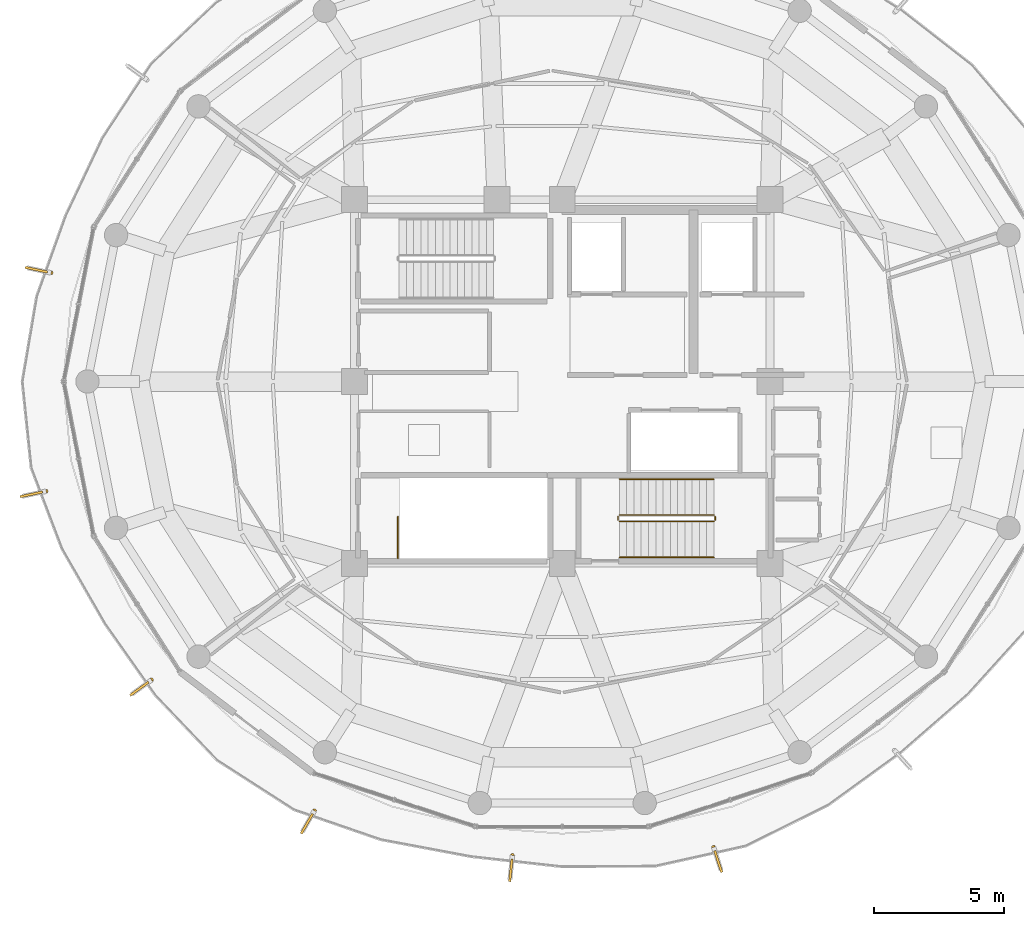
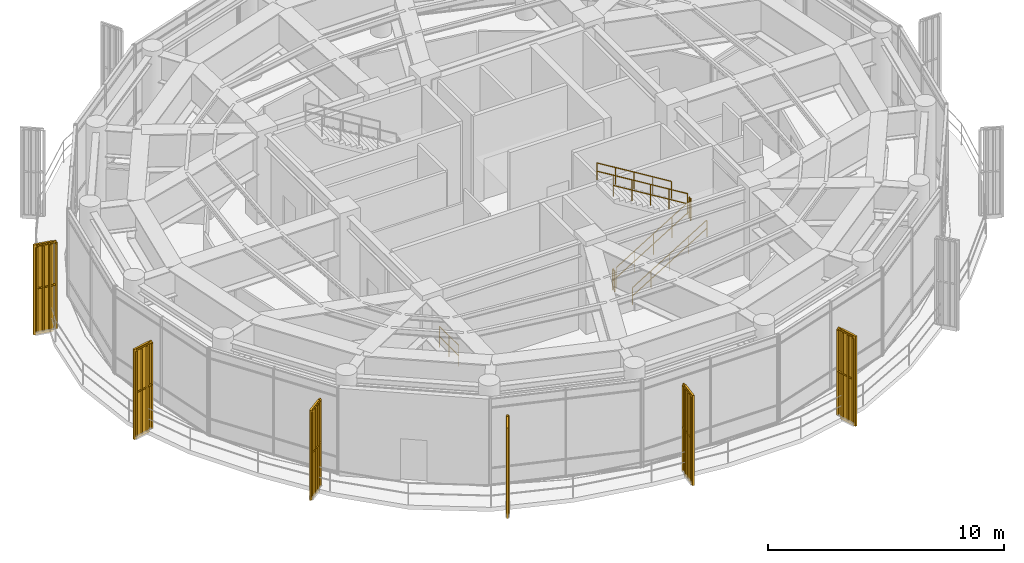
# One storey, part 21 of 23: 13 railings, 6 shading devices.
"""IFC4 building model written with IfcOpenShell, lengths in metres."""

from ifc_helpers import new_model, si_unit, direction, frame, origin, origin_2d, place, context, subcontext, project, spatial, polyline, rectangle, outline, extrude, source, transform, mapped, material, type_object, element, save


model = new_model("IFC4")

# Units and contexts
model_context = context("Model", 3, precision=1e-05, world=origin(), true_north=direction((0.0, 1.0)))
body_context = subcontext(model_context, "Body", "Model", "MODEL_VIEW")
ifc_project = project(units=[si_unit("LENGTHUNIT", "METRE"), si_unit("AREAUNIT", "SQUARE_METRE"), si_unit("VOLUMEUNIT", "CUBIC_METRE"), si_unit("PLANEANGLEUNIT", "RADIAN"), si_unit("MASSUNIT", "GRAM", prefix="KILO")], contexts=[model_context])

# Site, building, storey
site_placement = place(None, origin())
site = spatial("IfcSite", under=ifc_project, at=site_placement, CompositionType="ELEMENT")
building_placement = place(site_placement, origin())
building = spatial("IfcBuilding", under=site, at=building_placement, Name="Kelanora Arch Commons", CompositionType="ELEMENT")
storey_placement = place(building_placement, frame((0.0, 0.0, 293.699951171875)))
storey = spatial("IfcBuildingStorey", under=building, at=storey_placement, Name="L75", CompositionType="ELEMENT", Elevation=293.699951171875)

# Railings
ifc_material_1 = material(Name="Anodised bronze vertical shading fin rib assembly")
railing_type_1 = type_object("IfcRailingType", Name="RAIL-FIN-BRZ", PredefinedType="BALUSTRADE", material=ifc_material_1)
railing_1_placement = place(storey_placement, frame((54.321533203125, 62.182861328125, -0.02001953125)))
element("IfcRailing", 1, at=railing_1_placement, inside=storey, type_object=railing_type_1, Name="Sweeping Bronze Vertical Fin Blade L75-07", PredefinedType="BALUSTRADE", context=body_context, shape_type="SweptSolid", body=[
    extrude(outline(polyline([(0.06982421875, 0.0), (0.034912109375, 0.060546875), (-0.034912109375, 0.060546875), (-0.06982421875, 0.0), (-0.034912109375, -0.060546875), (0.034912109375, -0.060546875), (0.06982421875, 0.0)])), frame((0.0, 0.0, 4.47021484375), z_axis=(-0.978174359358, 0.207785761531, 0.0), x_axis=(-0.207785761531, -0.978174359358, 0.0)), (0.0, 0.0, 1.0), 0.880126953125),
    extrude(outline(polyline([(0.06982421875, 0.0), (0.034912109375, 0.060546875), (-0.034912109375, 0.060546875), (-0.06982421875, 0.0), (-0.034912109375, -0.060546875), (0.034912109375, -0.060546875), (0.06982421875, 0.0)])), frame((0.0, 0.0, 2.27001953125), z_axis=(-0.978174359358, 0.207785761531, 0.0), x_axis=(-0.207785761531, -0.978174359358, 0.0)), (0.0, 0.0, 1.0), 0.880126953125),
    extrude(outline(polyline([(0.080078125, 0.0), (0.0400390625, 0.0693359375), (-0.0400390625, 0.0693359375), (-0.080078125, 0.0), (-0.0400390625, -0.0693359375), (0.0400390625, -0.0693359375), (0.080078125, 0.0)])), origin(), (0.0, 0.0, 1.0), 4.400146484375),
    extrude(outline(polyline([(0.080078125, 0.0), (0.0400390625, 0.0693359375), (-0.0400390625, 0.0693359375), (-0.080078125, 0.0), (-0.0400390625, -0.0693359375), (0.0400390625, -0.0693359375), (0.080078125, 0.0)])), frame((-0.286865234375, 0.06103515625, 0.0)), (0.0, 0.0, 1.0), 4.400146484375),
    extrude(outline(polyline([(0.080078125, 0.0), (0.0400390625, 0.0693359375), (-0.0400390625, 0.0693359375), (-0.080078125, 0.0), (-0.0400390625, -0.0693359375), (0.0400390625, -0.0693359375), (0.080078125, 0.0)])), frame((-0.573974609375, 0.121826171875, 0.0)), (0.0, 0.0, 1.0), 4.400146484375),
    extrude(outline(polyline([(0.080078125, 0.0), (0.0400390625, 0.0693359375), (-0.0400390625, 0.0693359375), (-0.080078125, 0.0), (-0.0400390625, -0.0693359375), (0.0400390625, -0.0693359375), (0.080078125, 0.0)])), frame((-0.86083984375, 0.182861328125, 0.0)), (0.0, 0.0, 1.0), 4.400146484375),
])
railing_2_placement = place(storey_placement, frame((54.13037109375, 53.776611328125, -0.02001953125)))
element("IfcRailing", 2, at=railing_2_placement, inside=storey, type_object=railing_type_1, Name="Sweeping Bronze Vertical Fin Blade L75-08", PredefinedType="BALUSTRADE", context=body_context, shape_type="SweptSolid", body=[
    extrude(outline(polyline([(0.06982421875, 0.0), (0.034912109375, 0.060546875), (-0.034912109375, 0.060546875), (-0.06982421875, 0.0), (-0.034912109375, -0.060546875), (0.034912109375, -0.060546875), (0.06982421875, 0.0)])), frame((0.0, 0.0, 4.47021484375), z_axis=(-0.978117941282, -0.208051178662, 0.0), x_axis=(0.208051178662, -0.978117941282, 0.0)), (0.0, 0.0, 1.0), 0.880126953125),
    extrude(outline(polyline([(0.06982421875, 0.0), (0.034912109375, 0.060546875), (-0.034912109375, 0.060546875), (-0.06982421875, 0.0), (-0.034912109375, -0.060546875), (0.034912109375, -0.060546875), (0.06982421875, 0.0)])), frame((0.0, 0.0, 2.27001953125), z_axis=(-0.978117941282, -0.208051178662, 0.0), x_axis=(0.208051178662, -0.978117941282, 0.0)), (0.0, 0.0, 1.0), 0.880126953125),
    extrude(outline(polyline([(0.080078125, 0.0), (0.0400390625, 0.0693359375), (-0.0400390625, 0.0693359375), (-0.080078125, 0.0), (-0.0400390625, -0.0693359375), (0.0400390625, -0.0693359375), (0.080078125, 0.0)])), origin(), (0.0, 0.0, 1.0), 4.400146484375),
    extrude(outline(polyline([(0.080078125, 0.0), (0.0400390625, 0.0693359375), (-0.0400390625, 0.0693359375), (-0.080078125, 0.0), (-0.0400390625, -0.0693359375), (0.0400390625, -0.0693359375), (0.080078125, 0.0)])), frame((-0.286865234375, -0.06103515625, 0.0)), (0.0, 0.0, 1.0), 4.400146484375),
    extrude(outline(polyline([(0.080078125, 0.0), (0.0400390625, 0.0693359375), (-0.0400390625, 0.0693359375), (-0.080078125, 0.0), (-0.0400390625, -0.0693359375), (0.0400390625, -0.0693359375), (0.080078125, 0.0)])), frame((-0.573974609375, -0.1220703125, 0.0)), (0.0, 0.0, 1.0), 4.400146484375),
    extrude(outline(polyline([(0.080078125, 0.0), (0.0400390625, 0.0693359375), (-0.0400390625, 0.0693359375), (-0.080078125, 0.0), (-0.0400390625, -0.0693359375), (0.0400390625, -0.0693359375), (0.080078125, 0.0)])), frame((-0.86083984375, -0.18310546875, 0.0)), (0.0, 0.0, 1.0), 4.400146484375),
])
railing_3_placement = place(storey_placement, frame((58.186767578125, 46.510986328125, -0.02001953125)))
element("IfcRailing", 3, at=railing_3_placement, inside=storey, type_object=railing_type_1, Name="Sweeping Bronze Vertical Fin Blade L75-09", PredefinedType="BALUSTRADE", context=body_context, shape_type="SweptSolid", body=[
    extrude(outline(polyline([(0.06982421875, 0.0), (0.034912109375, 0.060546875), (-0.034912109375, 0.060546875), (-0.06982421875, 0.0), (-0.034912109375, -0.060546875), (0.034912109375, -0.060546875), (0.06982421875, 0.0)])), frame((0.0, 0.0, 4.47021484375), z_axis=(-0.808963959884, -0.587858241082, 0.0), x_axis=(0.587858241082, -0.808963959884, 0.0)), (0.0, 0.0, 1.0), 0.880126953125),
    extrude(outline(polyline([(0.06982421875, 0.0), (0.034912109375, 0.060546875), (-0.034912109375, 0.060546875), (-0.06982421875, 0.0), (-0.034912109375, -0.060546875), (0.034912109375, -0.060546875), (0.06982421875, 0.0)])), frame((0.0, 0.0, 2.27001953125), z_axis=(-0.808963959884, -0.587858241082, 0.0), x_axis=(0.587858241082, -0.808963959884, 0.0)), (0.0, 0.0, 1.0), 0.880126953125),
    extrude(outline(polyline([(0.080078125, 0.0), (0.0400390625, 0.0693359375), (-0.0400390625, 0.0693359375), (-0.080078125, 0.0), (-0.0400390625, -0.0693359375), (0.0400390625, -0.0693359375), (0.080078125, 0.0)])), origin(), (0.0, 0.0, 1.0), 4.400146484375),
    extrude(outline(polyline([(0.080078125, 0.0), (0.0400390625, 0.0693359375), (-0.0400390625, 0.0693359375), (-0.080078125, 0.0), (-0.0400390625, -0.0693359375), (0.0400390625, -0.0693359375), (0.080078125, 0.0)])), frame((-0.2373046875, -0.17236328125, 0.0)), (0.0, 0.0, 1.0), 4.400146484375),
    extrude(outline(polyline([(0.080078125, 0.0), (0.0400390625, 0.0693359375), (-0.0400390625, 0.0693359375), (-0.080078125, 0.0), (-0.0400390625, -0.0693359375), (0.0400390625, -0.0693359375), (0.080078125, 0.0)])), frame((-0.474609375, -0.344970703125, 0.0)), (0.0, 0.0, 1.0), 4.400146484375),
    extrude(outline(polyline([(0.080078125, 0.0), (0.0400390625, 0.0693359375), (-0.0400390625, 0.0693359375), (-0.080078125, 0.0), (-0.0400390625, -0.0693359375), (0.0400390625, -0.0693359375), (0.080078125, 0.0)])), frame((-0.7119140625, -0.517333984375, 0.0)), (0.0, 0.0, 1.0), 4.400146484375),
])
railing_4_placement = place(storey_placement, frame((64.459716796875, 41.475830078125, -0.02001953125)))
element("IfcRailing", 4, at=railing_4_placement, inside=storey, type_object=railing_type_1, Name="Sweeping Bronze Vertical Fin Blade L75-10", PredefinedType="BALUSTRADE", context=body_context, shape_type="SweptSolid", body=[
    extrude(outline(polyline([(0.06982421875, 0.0), (0.034912109375, 0.060546875), (-0.034912109375, 0.060546875), (-0.06982421875, 0.0), (-0.034912109375, -0.060546875), (0.034912109375, -0.060546875), (0.06982421875, 0.0)])), frame((0.0, 0.0, 4.47021484375), z_axis=(-0.500018690203, -0.866014612722, 0.0), x_axis=(0.866014612722, -0.500018690203, 0.0)), (0.0, 0.0, 1.0), 0.8798828125),
    extrude(outline(polyline([(0.06982421875, 0.0), (0.034912109375, 0.060546875), (-0.034912109375, 0.060546875), (-0.06982421875, 0.0), (-0.034912109375, -0.060546875), (0.034912109375, -0.060546875), (0.06982421875, 0.0)])), frame((0.0, 0.0, 2.27001953125), z_axis=(-0.500018690203, -0.866014612722, 0.0), x_axis=(0.866014612722, -0.500018690203, 0.0)), (0.0, 0.0, 1.0), 0.8798828125),
    extrude(outline(polyline([(0.080078125, 0.0), (0.0400390625, 0.0693359375), (-0.0400390625, 0.0693359375), (-0.080078125, 0.0), (-0.0400390625, -0.0693359375), (0.0400390625, -0.0693359375), (0.080078125, 0.0)])), origin(), (0.0, 0.0, 1.0), 4.400146484375),
    extrude(outline(polyline([(0.080078125, 0.0), (0.0400390625, 0.0693359375), (-0.0400390625, 0.0693359375), (-0.080078125, 0.0), (-0.0400390625, -0.0693359375), (0.0400390625, -0.0693359375), (0.080078125, 0.0)])), frame((-0.146728515625, -0.25390625, 0.0)), (0.0, 0.0, 1.0), 4.400146484375),
    extrude(outline(polyline([(0.080078125, 0.0), (0.0400390625, 0.0693359375), (-0.0400390625, 0.0693359375), (-0.080078125, 0.0), (-0.0400390625, -0.0693359375), (0.0400390625, -0.0693359375), (0.080078125, 0.0)])), frame((-0.293212890625, -0.508056640625, 0.0)), (0.0, 0.0, 1.0), 4.400146484375),
    extrude(outline(polyline([(0.080078125, 0.0), (0.0400390625, 0.0693359375), (-0.0400390625, 0.0693359375), (-0.080078125, 0.0), (-0.0400390625, -0.0693359375), (0.0400390625, -0.0693359375), (0.080078125, 0.0)])), frame((-0.43994140625, -0.761962890625, 0.0)), (0.0, 0.0, 1.0), 4.400146484375),
])
railing_5_placement = place(storey_placement, frame((72.082763671875, 39.759521484375, -0.02001953125)))
element("IfcRailing", 5, at=railing_5_placement, inside=storey, type_object=railing_type_1, Name="Sweeping Bronze Vertical Fin Blade L75-11", PredefinedType="BALUSTRADE", context=body_context, shape_type="SweptSolid", body=[
    extrude(outline(polyline([(0.06982421875, 0.0), (0.034912109375, 0.060546875), (-0.034912109375, 0.060546875), (-0.06982421875, 0.0), (-0.034912109375, -0.060546875), (0.034912109375, -0.060546875), (0.06982421875, 0.0)])), frame((0.0, 0.0, 4.47021484375), z_axis=(-0.104583700208, -0.994516088181, 0.0), x_axis=(0.994516088181, -0.104583700208, 0.0)), (0.0, 0.0, 1.0), 0.880126953125),
    extrude(outline(polyline([(0.06982421875, 0.0), (0.034912109375, 0.060546875), (-0.034912109375, 0.060546875), (-0.06982421875, 0.0), (-0.034912109375, -0.060546875), (0.034912109375, -0.060546875), (0.06982421875, 0.0)])), frame((0.0, 0.0, 2.27001953125), z_axis=(-0.104583700208, -0.994516088181, 0.0), x_axis=(0.994516088181, -0.104583700208, 0.0)), (0.0, 0.0, 1.0), 0.880126953125),
    extrude(outline(polyline([(0.080078125, 0.0), (0.0400390625, 0.0693359375), (-0.0400390625, 0.0693359375), (-0.080078125, 0.0), (-0.0400390625, -0.0693359375), (0.0400390625, -0.0693359375), (0.080078125, 0.0)])), origin(), (0.0, 0.0, 1.0), 4.400146484375),
    extrude(outline(polyline([(0.080078125, 0.0), (0.0400390625, 0.0693359375), (-0.0400390625, 0.0693359375), (-0.080078125, 0.0), (-0.0400390625, -0.0693359375), (0.0400390625, -0.0693359375), (0.080078125, 0.0)])), frame((-0.03076171875, -0.291748046875, 0.0)), (0.0, 0.0, 1.0), 4.400146484375),
    extrude(outline(polyline([(0.080078125, 0.0), (0.0400390625, 0.0693359375), (-0.0400390625, 0.0693359375), (-0.080078125, 0.0), (-0.0400390625, -0.0693359375), (0.0400390625, -0.0693359375), (0.080078125, 0.0)])), frame((-0.061279296875, -0.58349609375, 0.0)), (0.0, 0.0, 1.0), 4.400146484375),
    extrude(outline(polyline([(0.080078125, 0.0), (0.0400390625, 0.0693359375), (-0.0400390625, 0.0693359375), (-0.080078125, 0.0), (-0.0400390625, -0.0693359375), (0.0400390625, -0.0693359375), (0.080078125, 0.0)])), frame((-0.092041015625, -0.875244140625, 0.0)), (0.0, 0.0, 1.0), 4.400146484375),
])
railing_6_placement = place(storey_placement, frame((79.825439453125, 40.071044921875, -0.02001953125)))
element("IfcRailing", 6, at=railing_6_placement, inside=storey, type_object=railing_type_1, Name="Sweeping Bronze Vertical Fin Blade L75-12", PredefinedType="BALUSTRADE", context=body_context, shape_type="SweptSolid", body=[
    extrude(outline(polyline([(0.06982421875, 0.0), (0.034912109375, 0.060546875), (-0.034912109375, 0.060546875), (-0.06982421875, 0.0), (-0.034912109375, -0.060546875), (0.034912109375, -0.060546875), (0.06982421875, 0.0)])), frame((0.0, 0.0, 4.47021484375), z_axis=(0.309060979314, -0.951042223598, 0.0), x_axis=(0.951042223598, 0.309060979314, 0.0)), (0.0, 0.0, 1.0), 0.8798828125),
    extrude(outline(polyline([(0.06982421875, 0.0), (0.034912109375, 0.060546875), (-0.034912109375, 0.060546875), (-0.06982421875, 0.0), (-0.034912109375, -0.060546875), (0.034912109375, -0.060546875), (0.06982421875, 0.0)])), frame((0.0, 0.0, 2.27001953125), z_axis=(0.309060979314, -0.951042223598, 0.0), x_axis=(0.951042223598, 0.309060979314, 0.0)), (0.0, 0.0, 1.0), 0.8798828125),
    extrude(outline(polyline([(0.080078125, 0.0), (0.0400390625, 0.0693359375), (-0.0400390625, 0.0693359375), (-0.080078125, 0.0), (-0.0400390625, -0.0693359375), (0.0400390625, -0.0693359375), (0.080078125, 0.0)])), origin(), (0.0, 0.0, 1.0), 4.400146484375),
    extrude(outline(polyline([(0.080078125, 0.0), (0.0400390625, 0.0693359375), (-0.0400390625, 0.0693359375), (-0.080078125, 0.0), (-0.0400390625, -0.0693359375), (0.0400390625, -0.0693359375), (0.080078125, 0.0)])), frame((0.090576171875, -0.279052734375, 0.0)), (0.0, 0.0, 1.0), 4.400146484375),
    extrude(outline(polyline([(0.080078125, 0.0), (0.0400390625, 0.0693359375), (-0.0400390625, 0.0693359375), (-0.080078125, 0.0), (-0.0400390625, -0.0693359375), (0.0400390625, -0.0693359375), (0.080078125, 0.0)])), frame((0.181396484375, -0.557861328125, 0.0)), (0.0, 0.0, 1.0), 4.400146484375),
    extrude(outline(polyline([(0.080078125, 0.0), (0.0400390625, 0.0693359375), (-0.0400390625, 0.0693359375), (-0.080078125, 0.0), (-0.0400390625, -0.0693359375), (0.0400390625, -0.0693359375), (0.080078125, 0.0)])), frame((0.27197265625, -0.8369140625, 0.0)), (0.0, 0.0, 1.0), 4.400146484375),
])
ifc_material_2 = material(Name="Painted steel stair well guard", Category="steel")
railing_type_2 = type_object("IfcRailingType", Name="RAIL-STAIR-GRD", PredefinedType="GUARDRAIL", material=ifc_material_2)
railing_7_placement = place(storey_placement, frame((76.199951171875, 52.610107421875, 0.17138671875)))
element("IfcRailing", 7, at=railing_7_placement, inside=storey, type_object=railing_type_2, Name="L75 ST-T2 stair guard 1", PredefinedType="GUARDRAIL", context=body_context, shape_type="SweptSolid", body=[
    extrude(outline(polyline([(0.02392578125, 0.0), (0.011962890625, 0.020751953125), (-0.011962890625, 0.020751953125), (-0.02392578125, 0.0), (-0.011962890625, -0.020751953125), (0.011962890625, -0.020751953125), (0.02392578125, 0.0)])), frame((0.0, 0.0, 1.076171875), z_axis=(0.852840387347, 0.0, 0.522171689878), x_axis=(0.0, 1.0, 0.0)), (0.0, 0.0, 1.0), 4.268310546875),
    extrude(outline(polyline([(0.02392578125, 0.0), (0.011962890625, 0.020751953125), (-0.011962890625, 0.020751953125), (-0.02392578125, 0.0), (-0.011962890625, -0.020751953125), (0.011962890625, -0.020751953125), (0.02392578125, 0.0)])), frame((0.0, 0.0, 0.550048828125), z_axis=(0.852840387347, 0.0, 0.522171689878), x_axis=(0.0, 1.0, 0.0)), (0.0, 0.0, 1.0), 4.268310546875),
    extrude(outline(polyline([(0.02099609375, 0.0), (0.010498046875, 0.01806640625), (-0.010498046875, 0.01806640625), (-0.02099609375, 0.0), (-0.010498046875, -0.01806640625), (0.010498046875, -0.01806640625), (0.02099609375, 0.0)])), origin(), (0.0, 0.0, 1.0), 1.052001953125),
    extrude(outline(polyline([(0.02099609375, 0.0), (0.010498046875, 0.01806640625), (-0.010498046875, 0.01806640625), (-0.02099609375, 0.0), (-0.010498046875, -0.01806640625), (0.010498046875, -0.01806640625), (0.02099609375, 0.0)])), frame((0.91015625, 0.0, 0.55712890625)), (0.0, 0.0, 1.0), 1.052001953125),
    extrude(outline(polyline([(0.02099609375, 0.0), (0.010498046875, 0.01806640625), (-0.010498046875, 0.01806640625), (-0.02099609375, 0.0), (-0.010498046875, -0.01806640625), (0.010498046875, -0.01806640625), (0.02099609375, 0.0)])), frame((1.820068359375, 0.0, 1.1142578125)), (0.0, 0.0, 1.0), 1.052001953125),
    extrude(outline(polyline([(0.02099609375, 0.0), (0.010498046875, 0.01806640625), (-0.010498046875, 0.01806640625), (-0.02099609375, 0.0), (-0.010498046875, -0.01806640625), (0.010498046875, -0.01806640625), (0.02099609375, 0.0)])), frame((2.72998046875, 0.0, 1.671630859375)), (0.0, 0.0, 1.0), 1.052001953125),
    extrude(outline(polyline([(0.02099609375, 0.0), (0.010498046875, 0.01806640625), (-0.010498046875, 0.01806640625), (-0.02099609375, 0.0), (-0.010498046875, -0.01806640625), (0.010498046875, -0.01806640625), (0.02099609375, 0.0)])), frame((3.64013671875, 0.0, 2.228759765625)), (0.0, 0.0, 1.0), 1.052001953125),
])
railing_8_placement = place(storey_placement, frame((79.889892578125, 52.659912109375, 2.400146484375)))
element("IfcRailing", 8, at=railing_8_placement, inside=storey, type_object=railing_type_2, Name="L75 ST-T2 stair guard 2", PredefinedType="GUARDRAIL", context=body_context, shape_type="SweptSolid", body=[
    extrude(outline(polyline([(0.02392578125, 0.0), (0.011962890625, 0.020751953125), (-0.011962890625, 0.020751953125), (-0.02392578125, 0.0), (-0.011962890625, -0.020751953125), (0.011962890625, -0.020751953125), (0.02392578125, 0.0)])), frame((0.0, 0.0, 1.076171875), z_axis=(0.0, 1.0, 0.0), x_axis=(-1.0, 0.0, 0.0)), (0.0, 0.0, 1.0), 0.150146484375),
    extrude(outline(polyline([(0.02392578125, 0.0), (0.011962890625, 0.020751953125), (-0.011962890625, 0.020751953125), (-0.02392578125, 0.0), (-0.011962890625, -0.020751953125), (0.011962890625, -0.020751953125), (0.02392578125, 0.0)])), frame((0.0, 0.0, 0.550048828125), z_axis=(0.0, 1.0, 0.0), x_axis=(-1.0, 0.0, 0.0)), (0.0, 0.0, 1.0), 0.150146484375),
    extrude(outline(polyline([(0.02099609375, 0.0), (0.010498046875, 0.01806640625), (-0.010498046875, 0.01806640625), (-0.02099609375, 0.0), (-0.010498046875, -0.01806640625), (0.010498046875, -0.01806640625), (0.02099609375, 0.0)])), origin(), (0.0, 0.0, 1.0), 1.052001953125),
    extrude(outline(polyline([(0.02099609375, 0.0), (0.010498046875, 0.01806640625), (-0.010498046875, 0.01806640625), (-0.02099609375, 0.0), (-0.010498046875, -0.01806640625), (0.010498046875, -0.01806640625), (0.02099609375, 0.0)])), frame((0.0, 0.150146484375, 0.0)), (0.0, 0.0, 1.0), 1.052001953125),
])
railing_9_placement = place(storey_placement, frame((79.840087890625, 52.860107421875, 2.571533203125)))
element("IfcRailing", 9, at=railing_9_placement, inside=storey, type_object=railing_type_2, Name="L75 ST-T2 stair guard 3", PredefinedType="GUARDRAIL", context=body_context, shape_type="SweptSolid", body=[
    extrude(outline(polyline([(0.02392578125, 0.0), (0.011962890625, 0.020751953125), (-0.011962890625, 0.020751953125), (-0.02392578125, 0.0), (-0.011962890625, -0.020751953125), (0.011962890625, -0.020751953125), (0.02392578125, 0.0)])), frame((0.0, 0.0, 1.076171875), z_axis=(-0.852865859571, 0.0, 0.52213008492), x_axis=(0.0, -1.0, 0.0)), (0.0, 0.0, 1.0), 4.26806640625),
    extrude(outline(polyline([(0.02392578125, 0.0), (0.011962890625, 0.020751953125), (-0.011962890625, 0.020751953125), (-0.02392578125, 0.0), (-0.011962890625, -0.020751953125), (0.011962890625, -0.020751953125), (0.02392578125, 0.0)])), frame((0.0, 0.0, 0.550048828125), z_axis=(-0.852865859571, 0.0, 0.52213008492), x_axis=(0.0, -1.0, 0.0)), (0.0, 0.0, 1.0), 4.26806640625),
    extrude(outline(polyline([(0.02099609375, 0.0), (0.010498046875, 0.01806640625), (-0.010498046875, 0.01806640625), (-0.02099609375, 0.0), (-0.010498046875, -0.01806640625), (0.010498046875, -0.01806640625), (0.02099609375, 0.0)])), origin(), (0.0, 0.0, 1.0), 1.052001953125),
    extrude(outline(polyline([(0.02099609375, 0.0), (0.010498046875, 0.01806640625), (-0.010498046875, 0.01806640625), (-0.02099609375, 0.0), (-0.010498046875, -0.01806640625), (0.010498046875, -0.01806640625), (0.02099609375, 0.0)])), frame((-0.91015625, 0.0, 0.55712890625)), (0.0, 0.0, 1.0), 1.052001953125),
    extrude(outline(polyline([(0.02099609375, 0.0), (0.010498046875, 0.01806640625), (-0.010498046875, 0.01806640625), (-0.02099609375, 0.0), (-0.010498046875, -0.01806640625), (0.010498046875, -0.01806640625), (0.02099609375, 0.0)])), frame((-1.820068359375, 0.0, 1.1142578125)), (0.0, 0.0, 1.0), 1.052001953125),
    extrude(outline(polyline([(0.02099609375, 0.0), (0.010498046875, 0.01806640625), (-0.010498046875, 0.01806640625), (-0.02099609375, 0.0), (-0.010498046875, -0.01806640625), (0.010498046875, -0.01806640625), (0.02099609375, 0.0)])), frame((-2.72998046875, 0.0, 1.67138671875)), (0.0, 0.0, 1.0), 1.052001953125),
    extrude(outline(polyline([(0.02099609375, 0.0), (0.010498046875, 0.01806640625), (-0.010498046875, 0.01806640625), (-0.02099609375, 0.0), (-0.010498046875, -0.01806640625), (0.010498046875, -0.01806640625), (0.02099609375, 0.0)])), frame((-3.64013671875, 0.0, 2.228515625)), (0.0, 0.0, 1.0), 1.052001953125),
])
railing_10_placement = place(storey_placement, frame((76.14990234375, 52.659912109375, 0.0)))
element("IfcRailing", 10, at=railing_10_placement, inside=storey, type_object=railing_type_2, Name="L75 ST-T2 stair guard 4", PredefinedType="GUARDRAIL", context=body_context, shape_type="SweptSolid", body=[
    extrude(outline(polyline([(0.02392578125, 0.0), (0.011962890625, 0.020751953125), (-0.011962890625, 0.020751953125), (-0.02392578125, 0.0), (-0.011962890625, -0.020751953125), (0.011962890625, -0.020751953125), (0.02392578125, 0.0)])), frame((0.0, 0.0, 1.076171875), z_axis=(0.0, 1.0, 0.0), x_axis=(-1.0, 0.0, 0.0)), (0.0, 0.0, 1.0), 0.150146484375),
    extrude(outline(polyline([(0.02392578125, 0.0), (0.011962890625, 0.020751953125), (-0.011962890625, 0.020751953125), (-0.02392578125, 0.0), (-0.011962890625, -0.020751953125), (0.011962890625, -0.020751953125), (0.02392578125, 0.0)])), frame((0.0, 0.0, 0.550048828125), z_axis=(0.0, 1.0, 0.0), x_axis=(-1.0, 0.0, 0.0)), (0.0, 0.0, 1.0), 0.150146484375),
    extrude(outline(polyline([(0.02099609375, 0.0), (0.010498046875, 0.01806640625), (-0.010498046875, 0.01806640625), (-0.02099609375, 0.0), (-0.010498046875, -0.01806640625), (0.010498046875, -0.01806640625), (0.02099609375, 0.0)])), origin(), (0.0, 0.0, 1.0), 1.052001953125),
    extrude(outline(polyline([(0.02099609375, 0.0), (0.010498046875, 0.01806640625), (-0.010498046875, 0.01806640625), (-0.02099609375, 0.0), (-0.010498046875, -0.01806640625), (0.010498046875, -0.01806640625), (0.02099609375, 0.0)])), frame((0.0, 0.150146484375, 0.0)), (0.0, 0.0, 1.0), 1.052001953125),
])
railing_11_placement = place(storey_placement, frame((67.669921875, 51.179931640625, 0.0)))
element("IfcRailing", 11, at=railing_11_placement, inside=storey, type_object=railing_type_2, Name="L75 ST-T3 top well guard 1", PredefinedType="GUARDRAIL", context=body_context, shape_type="SweptSolid", body=[
    extrude(outline(polyline([(0.02392578125, 0.0), (0.011962890625, 0.020751953125), (-0.011962890625, 0.020751953125), (-0.02392578125, 0.0), (-0.011962890625, -0.020751953125), (0.011962890625, -0.020751953125), (0.02392578125, 0.0)])), frame((0.0, 0.0, 1.076171875), z_axis=(0.0, 1.0, 0.0), x_axis=(-1.0, 0.0, 0.0)), (0.0, 0.0, 1.0), 1.630126953125),
    extrude(outline(polyline([(0.02392578125, 0.0), (0.011962890625, 0.020751953125), (-0.011962890625, 0.020751953125), (-0.02392578125, 0.0), (-0.011962890625, -0.020751953125), (0.011962890625, -0.020751953125), (0.02392578125, 0.0)])), frame((0.0, 0.0, 0.550048828125), z_axis=(0.0, 1.0, 0.0), x_axis=(-1.0, 0.0, 0.0)), (0.0, 0.0, 1.0), 1.630126953125),
    extrude(outline(polyline([(0.02099609375, 0.0), (0.010498046875, 0.01806640625), (-0.010498046875, 0.01806640625), (-0.02099609375, 0.0), (-0.010498046875, -0.01806640625), (0.010498046875, -0.01806640625), (0.02099609375, 0.0)])), origin(), (0.0, 0.0, 1.0), 1.052001953125),
    extrude(outline(polyline([(0.02099609375, 0.0), (0.010498046875, 0.01806640625), (-0.010498046875, 0.01806640625), (-0.02099609375, 0.0), (-0.010498046875, -0.01806640625), (0.010498046875, -0.01806640625), (0.02099609375, 0.0)])), frame((0.0, 0.81494140625, 0.0)), (0.0, 0.0, 1.0), 1.052001953125),
    extrude(outline(polyline([(0.02099609375, 0.0), (0.010498046875, 0.01806640625), (-0.010498046875, 0.01806640625), (-0.02099609375, 0.0), (-0.010498046875, -0.01806640625), (0.010498046875, -0.01806640625), (0.02099609375, 0.0)])), frame((0.0, 1.630126953125, 0.0)), (0.0, 0.0, 1.0), 1.052001953125),
])
ifc_material_3 = material(Name="Brushed stainless steel stair handrail", Category="steel")
railing_type_3 = type_object("IfcRailingType", Name="RAIL-STAIR-HND", PredefinedType="HANDRAIL", material=ifc_material_3)
railing_12_placement = place(storey_placement, frame((76.199951171875, 51.22998046875, 0.17138671875)))
element("IfcRailing", 12, at=railing_12_placement, inside=storey, type_object=railing_type_3, Name="L75 ST-T2 stair handrail 1", PredefinedType="HANDRAIL", context=body_context, shape_type="SweptSolid", body=[
    extrude(outline(polyline([(0.02392578125, 0.0), (0.011962890625, 0.020751953125), (-0.011962890625, 0.020751953125), (-0.02392578125, 0.0), (-0.011962890625, -0.020751953125), (0.011962890625, -0.020751953125), (0.02392578125, 0.0)])), frame((0.0, 0.0, 0.8759765625), z_axis=(0.852840387347, 0.0, 0.522171689878), x_axis=(0.0, 1.0, 0.0)), (0.0, 0.0, 1.0), 4.268310546875),
    extrude(outline(polyline([(0.02392578125, 0.0), (0.011962890625, 0.020751953125), (-0.011962890625, 0.020751953125), (-0.02392578125, 0.0), (-0.011962890625, -0.020751953125), (0.011962890625, -0.020751953125), (0.02392578125, 0.0)])), frame((0.0, 0.0, 0.449951171875), z_axis=(0.852840387347, 0.0, 0.522171689878), x_axis=(0.0, 1.0, 0.0)), (0.0, 0.0, 1.0), 4.268310546875),
    extrude(outline(polyline([(0.02099609375, 0.0), (0.010498046875, 0.01806640625), (-0.010498046875, 0.01806640625), (-0.02099609375, 0.0), (-0.010498046875, -0.01806640625), (0.010498046875, -0.01806640625), (0.02099609375, 0.0)])), origin(), (0.0, 0.0, 1.0), 0.851806640625),
    extrude(outline(polyline([(0.02099609375, 0.0), (0.010498046875, 0.01806640625), (-0.010498046875, 0.01806640625), (-0.02099609375, 0.0), (-0.010498046875, -0.01806640625), (0.010498046875, -0.01806640625), (0.02099609375, 0.0)])), frame((0.91015625, 0.0, 0.55712890625)), (0.0, 0.0, 1.0), 0.851806640625),
    extrude(outline(polyline([(0.02099609375, 0.0), (0.010498046875, 0.01806640625), (-0.010498046875, 0.01806640625), (-0.02099609375, 0.0), (-0.010498046875, -0.01806640625), (0.010498046875, -0.01806640625), (0.02099609375, 0.0)])), frame((1.820068359375, 0.0, 1.1142578125)), (0.0, 0.0, 1.0), 0.851806640625),
    extrude(outline(polyline([(0.02099609375, 0.0), (0.010498046875, 0.01806640625), (-0.010498046875, 0.01806640625), (-0.02099609375, 0.0), (-0.010498046875, -0.01806640625), (0.010498046875, -0.01806640625), (0.02099609375, 0.0)])), frame((2.72998046875, 0.0, 1.671630859375)), (0.0, 0.0, 1.0), 0.851806640625),
    extrude(outline(polyline([(0.02099609375, 0.0), (0.010498046875, 0.01806640625), (-0.010498046875, 0.01806640625), (-0.02099609375, 0.0), (-0.010498046875, -0.01806640625), (0.010498046875, -0.01806640625), (0.02099609375, 0.0)])), frame((3.64013671875, 0.0, 2.228759765625)), (0.0, 0.0, 1.0), 0.851806640625),
])
railing_13_placement = place(storey_placement, frame((79.840087890625, 54.239990234375, 2.571533203125)))
element("IfcRailing", 13, at=railing_13_placement, inside=storey, type_object=railing_type_3, Name="L75 ST-T2 stair handrail 2", PredefinedType="HANDRAIL", context=body_context, shape_type="SweptSolid", body=[
    extrude(outline(polyline([(0.02392578125, 0.0), (0.011962890625, 0.020751953125), (-0.011962890625, 0.020751953125), (-0.02392578125, 0.0), (-0.011962890625, -0.020751953125), (0.011962890625, -0.020751953125), (0.02392578125, 0.0)])), frame((0.0, 0.0, 0.8759765625), z_axis=(-0.852865859571, 0.0, 0.52213008492), x_axis=(0.0, -1.0, 0.0)), (0.0, 0.0, 1.0), 4.26806640625),
    extrude(outline(polyline([(0.02392578125, 0.0), (0.011962890625, 0.020751953125), (-0.011962890625, 0.020751953125), (-0.02392578125, 0.0), (-0.011962890625, -0.020751953125), (0.011962890625, -0.020751953125), (0.02392578125, 0.0)])), frame((0.0, 0.0, 0.449951171875), z_axis=(-0.852865859571, 0.0, 0.52213008492), x_axis=(0.0, -1.0, 0.0)), (0.0, 0.0, 1.0), 4.26806640625),
    extrude(outline(polyline([(0.02099609375, 0.0), (0.010498046875, 0.01806640625), (-0.010498046875, 0.01806640625), (-0.02099609375, 0.0), (-0.010498046875, -0.01806640625), (0.010498046875, -0.01806640625), (0.02099609375, 0.0)])), origin(), (0.0, 0.0, 1.0), 0.851806640625),
    extrude(outline(polyline([(0.02099609375, 0.0), (0.010498046875, 0.01806640625), (-0.010498046875, 0.01806640625), (-0.02099609375, 0.0), (-0.010498046875, -0.01806640625), (0.010498046875, -0.01806640625), (0.02099609375, 0.0)])), frame((-0.91015625, 0.0, 0.55712890625)), (0.0, 0.0, 1.0), 0.851806640625),
    extrude(outline(polyline([(0.02099609375, 0.0), (0.010498046875, 0.01806640625), (-0.010498046875, 0.01806640625), (-0.02099609375, 0.0), (-0.010498046875, -0.01806640625), (0.010498046875, -0.01806640625), (0.02099609375, 0.0)])), frame((-1.820068359375, 0.0, 1.1142578125)), (0.0, 0.0, 1.0), 0.851806640625),
    extrude(outline(polyline([(0.02099609375, 0.0), (0.010498046875, 0.01806640625), (-0.010498046875, 0.01806640625), (-0.02099609375, 0.0), (-0.010498046875, -0.01806640625), (0.010498046875, -0.01806640625), (0.02099609375, 0.0)])), frame((-2.72998046875, 0.0, 1.67138671875)), (0.0, 0.0, 1.0), 0.851806640625),
    extrude(outline(polyline([(0.02099609375, 0.0), (0.010498046875, 0.01806640625), (-0.010498046875, 0.01806640625), (-0.02099609375, 0.0), (-0.010498046875, -0.01806640625), (0.010498046875, -0.01806640625), (0.02099609375, 0.0)])), frame((-3.64013671875, 0.0, 2.228515625)), (0.0, 0.0, 1.0), 0.851806640625),
])

# Shading devices
ifc_material_4 = material(Name="Terracotta ceramic-clad extruded aluminium fin", Category="masonry")
shading_device_type = type_object("IfcShadingDeviceType", Name="SHD-FIN-FLARE", PredefinedType="USERDEFINED", material=ifc_material_4)
shared_shape = source(origin(), body_context, "Body", "SweptSolid", [
    extrude(rectangle(XDim=0.8798828125, YDim=0.090087890625, at=origin_2d()), origin(), (0.0, 0.0, 1.0), 4.659912109375),
])
for number, where, z_axis, x_axis, name in (
    (14, (53.754150390625, 62.303466796875, -0.14013671875), (0.0, 0.0, 1.0), (-0.978147600734, 0.207911690818, 0.0), "Sweeping Terracotta Fin L75-07"),
    (15, (53.56298828125, 53.656005859375, -0.14013671875), (0.0, 0.0, 1.0), (-0.978147600734, -0.207911690818, 0.0), "Sweeping Terracotta Fin L75-08"),
    (16, (57.717529296875, 46.170166015625, -0.14013671875), (0.0, 0.0, 1.0), (-0.809016994375, -0.587785252292, 0.0), "Sweeping Terracotta Fin L75-09"),
    (17, (64.169921875, 40.9736328125, -0.14013671875), (0.0, 0.0, 1.0), (-0.5, -0.866025403784, 0.0), "Sweeping Terracotta Fin L75-10"),
    (18, (72.022216796875, 39.1826171875, -0.14013671875), (0.0, 0.0, 1.0), (-0.104528463268, -0.994521895368, 0.0), "Sweeping Terracotta Fin L75-11"),
    (19, (80.004638671875, 39.51953125, -0.14013671875), (0.0, 0.0, 1.0), (0.309016994375, -0.951056516295, 0.0), "Sweeping Terracotta Fin L75-12"),
):
    element("IfcShadingDevice", number, at=place(storey_placement, frame(where, z_axis=z_axis, x_axis=x_axis)), inside=storey, type_object=shading_device_type, Name=name, ObjectType="FIN", PredefinedType="USERDEFINED", context=body_context, shape_type="MappedRepresentation", body=[
        mapped(shared_shape, transform((0.0, 0.0, 0.0), scale=1.0)),
    ])

save(model, "model.ifc")
